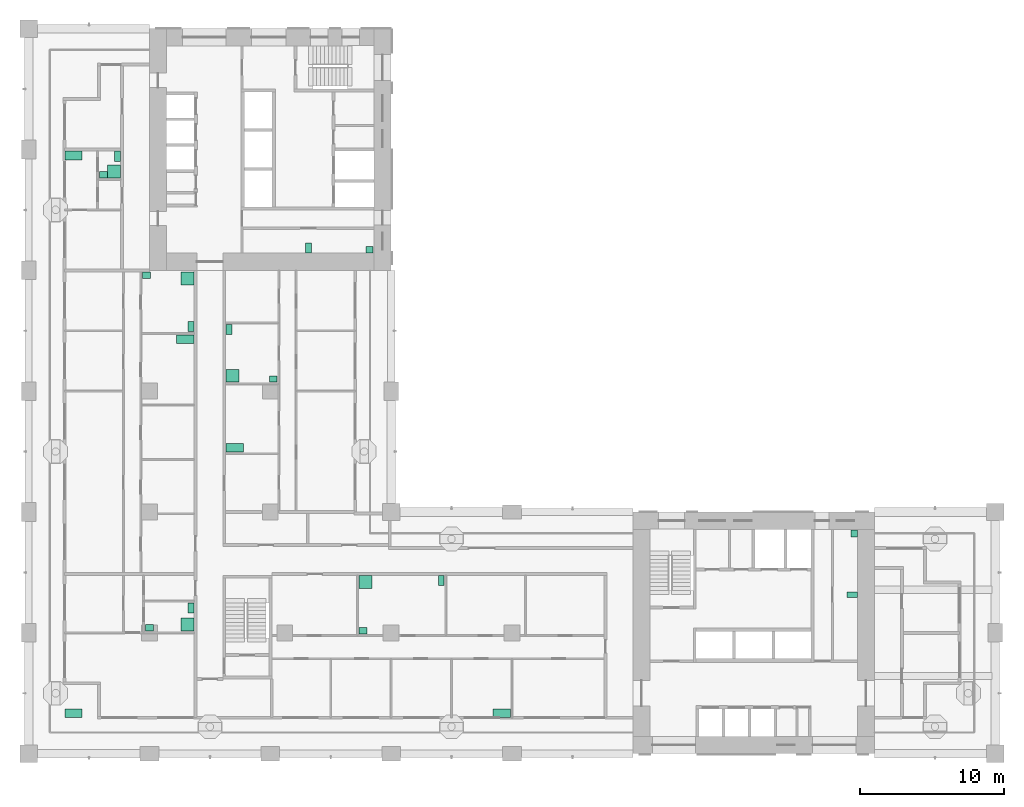
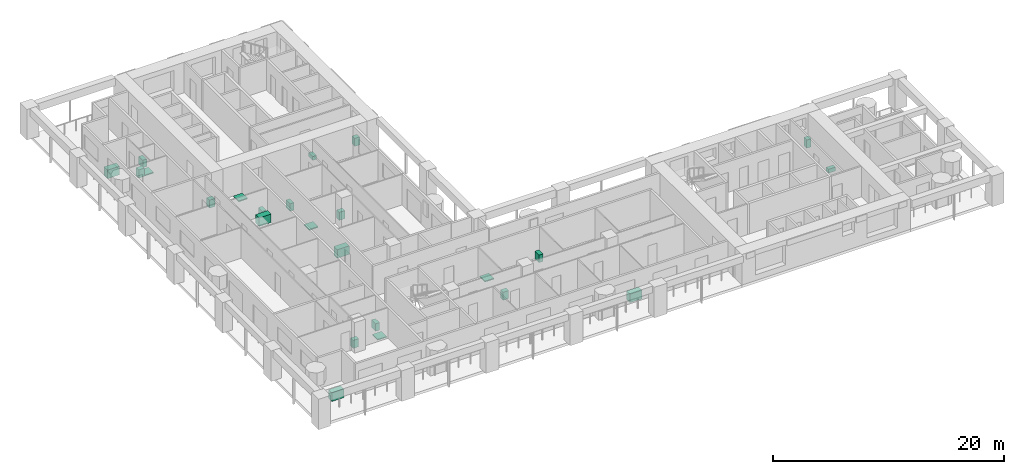
# One storey, part 16 of 18: 24 sanitary terminals.
"""IFC4 building model written with IfcOpenShell, lengths in metres."""

from ifc_helpers import new_model, si_unit, direction, frame, origin, origin_2d, place, context, subcontext, project, spatial, rectangle, extrude, material, element, save


model = new_model("IFC4")

# Units and contexts
model_context = context("Model", 3, precision=1e-05, world=origin(), true_north=direction((0.0, 1.0)))
body_context = subcontext(model_context, "Body", "Model", "MODEL_VIEW")
ifc_project = project(units=[si_unit("LENGTHUNIT", "METRE"), si_unit("AREAUNIT", "SQUARE_METRE"), si_unit("VOLUMEUNIT", "CUBIC_METRE"), si_unit("PLANEANGLEUNIT", "RADIAN"), si_unit("MASSUNIT", "GRAM", prefix="KILO")], contexts=[model_context])

# Site, building, storey
site_placement = place(None, origin())
site = spatial("IfcSite", under=ifc_project, at=site_placement, CompositionType="ELEMENT")
building_placement = place(site_placement, origin())
building = spatial("IfcBuilding", under=site, at=building_placement, Name="Vermilion Gate Residences", CompositionType="ELEMENT")
storey_placement = place(building_placement, frame((0.0, 0.0, 105.699951171875)))
storey = spatial("IfcBuildingStorey", under=building, at=storey_placement, Name="L26", CompositionType="ELEMENT", Elevation=105.699951171875)

# Sanitary terminals
ifc_material_1 = material(Name="Vitreous china")
sanitary_terminal_1_placement = place(storey_placement, frame((57.25, 19.449951171875, 0.0), z_axis=(0.0, 0.0, 1.0), x_axis=(1.0, 0.0, 0.0)))
element("IfcSanitaryTerminal", 1, at=sanitary_terminal_1_placement, inside=storey, material=ifc_material_1, Name="Toilet pan A26", PredefinedType="TOILETPAN", context=body_context, shape_type="SweptSolid", body=[
    extrude(rectangle(XDim=0.699951171875, YDim=0.39990234375, at=origin_2d()), origin(), (0.0, 0.0, 1.0), 0.39990234375),
])
sanitary_terminal_2_placement = place(storey_placement, frame((57.375, 23.699951171875, 0.0), z_axis=(0.0, 0.0, 1.0), x_axis=(1.0, 0.0, 0.0)))
element("IfcSanitaryTerminal", 2, at=sanitary_terminal_2_placement, inside=storey, material=ifc_material_1, Name="Washbasin A26", PredefinedType="WASHHANDBASIN", context=body_context, shape_type="SweptSolid", body=[
    extrude(rectangle(XDim=0.449951171875, YDim=0.5, at=origin_2d()), origin(), (0.0, 0.0, 1.0), 0.85009765625),
])
sanitary_terminal_3_placement = place(storey_placement, frame((19.449951171875, 43.550048828125, 0.0), z_axis=(0.0, 0.0, 1.0), x_axis=(1.0, 0.0, 0.0)))
element("IfcSanitaryTerminal", 3, at=sanitary_terminal_3_placement, inside=storey, material=ifc_material_1, Name="Toilet pan B26", PredefinedType="TOILETPAN", context=body_context, shape_type="SweptSolid", body=[
    extrude(rectangle(XDim=0.39990234375, YDim=0.699951171875, at=origin_2d()), origin(), (0.0, 0.0, 1.0), 0.39990234375),
])
sanitary_terminal_4_placement = place(storey_placement, frame((23.699951171875, 43.425048828125, 0.0), z_axis=(0.0, 0.0, 1.0), x_axis=(1.0, 0.0, 0.0)))
element("IfcSanitaryTerminal", 4, at=sanitary_terminal_4_placement, inside=storey, material=ifc_material_1, Name="Washbasin B26", PredefinedType="WASHHANDBASIN", context=body_context, shape_type="SweptSolid", body=[
    extrude(rectangle(XDim=0.5, YDim=0.449951171875, at=origin_2d()), origin(), (0.0, 0.0, 1.0), 0.85009765625),
])
ifc_material_2 = material(Name="Stainless steel", Category="steel")
sanitary_terminal_5_placement = place(storey_placement, frame((3.1201171875, 11.219970703125, 0.0), z_axis=(0.0, 0.0, 1.0), x_axis=(1.0, 0.0, 0.0)))
element("IfcSanitaryTerminal", 5, at=sanitary_terminal_5_placement, inside=storey, material=ifc_material_2, Name="Kitchen sink", PredefinedType="SINK", context=body_context, shape_type="SweptSolid", body=[
    extrude(rectangle(XDim=1.199951171875, YDim=0.60009765625, at=origin_2d()), origin(), (0.0, 0.0, 1.0), 0.89990234375),
])
sanitary_terminal_6_placement = place(storey_placement, frame((11.030029296875, 17.3701171875, 0.0), z_axis=(0.0, 0.0, 1.0), x_axis=(1.0, 0.0, 0.0)))
element("IfcSanitaryTerminal", 6, at=sanitary_terminal_6_placement, inside=storey, material=ifc_material_1, Name="Shower tray", PredefinedType="SHOWER", context=body_context, shape_type="SweptSolid", body=[
    extrude(rectangle(XDim=0.89990234375, YDim=0.89990234375, at=origin_2d()), origin(), (0.0, 0.0, 1.0), 0.10009765625),
])
sanitary_terminal_7_placement = place(storey_placement, frame((11.280029296875, 18.530029296875, 0.0), z_axis=(0.0, 0.0, 1.0), x_axis=(1.0, 0.0, 0.0)))
element("IfcSanitaryTerminal", 7, at=sanitary_terminal_7_placement, inside=storey, material=ifc_material_1, Name="Toilet", PredefinedType="TOILETPAN", context=body_context, shape_type="SweptSolid", body=[
    extrude(rectangle(XDim=0.39990234375, YDim=0.699951171875, at=origin_2d()), origin(), (0.0, 0.0, 1.0), 0.800048828125),
])
sanitary_terminal_8_placement = place(storey_placement, frame((8.39501953125, 17.14501953125, 0.0), z_axis=(0.0, 0.0, 1.0), x_axis=(1.0, 0.0, 0.0)))
element("IfcSanitaryTerminal", 8, at=sanitary_terminal_8_placement, inside=storey, material=ifc_material_1, Name="Wash basin", PredefinedType="WASHHANDBASIN", context=body_context, shape_type="SweptSolid", body=[
    extrude(rectangle(XDim=0.550048828125, YDim=0.449951171875, at=origin_2d()), origin(), (0.0, 0.0, 1.0), 0.85009765625),
])
sanitary_terminal_9_placement = place(storey_placement, frame((32.8798828125, 11.219970703125, 0.0), z_axis=(0.0, 0.0, 1.0), x_axis=(1.0, 0.0, 0.0)))
element("IfcSanitaryTerminal", 9, at=sanitary_terminal_9_placement, inside=storey, material=ifc_material_2, Name="Kitchen sink", PredefinedType="SINK", context=body_context, shape_type="SweptSolid", body=[
    extrude(rectangle(XDim=1.199951171875, YDim=0.60009765625, at=origin_2d()), origin(), (0.0, 0.0, 1.0), 0.89990234375),
])
sanitary_terminal_10_placement = place(storey_placement, frame((23.419921875, 20.330078125, 0.0), z_axis=(0.0, 0.0, 1.0), x_axis=(1.0, 0.0, 0.0)))
element("IfcSanitaryTerminal", 10, at=sanitary_terminal_10_placement, inside=storey, material=ifc_material_1, Name="Shower tray", PredefinedType="SHOWER", context=body_context, shape_type="SweptSolid", body=[
    extrude(rectangle(XDim=0.89990234375, YDim=0.89990234375, at=origin_2d()), origin(), (0.0, 0.0, 1.0), 0.10009765625),
])
sanitary_terminal_11_placement = place(storey_placement, frame((28.679931640625, 20.429931640625, 0.0), z_axis=(0.0, 0.0, 1.0), x_axis=(1.0, 0.0, 0.0)))
element("IfcSanitaryTerminal", 11, at=sanitary_terminal_11_placement, inside=storey, material=ifc_material_1, Name="Toilet", PredefinedType="TOILETPAN", context=body_context, shape_type="SweptSolid", body=[
    extrude(rectangle(XDim=0.39990234375, YDim=0.699951171875, at=origin_2d()), origin(), (0.0, 0.0, 1.0), 0.800048828125),
])
sanitary_terminal_12_placement = place(storey_placement, frame((23.2451171875, 16.945068359375, 0.0), z_axis=(0.0, 0.0, 1.0), x_axis=(1.0, 0.0, 0.0)))
element("IfcSanitaryTerminal", 12, at=sanitary_terminal_12_placement, inside=storey, material=ifc_material_1, Name="Wash basin", PredefinedType="WASHHANDBASIN", context=body_context, shape_type="SweptSolid", body=[
    extrude(rectangle(XDim=0.550048828125, YDim=0.449951171875, at=origin_2d()), origin(), (0.0, 0.0, 1.0), 0.85009765625),
])
sanitary_terminal_13_placement = place(storey_placement, frame((10.8798828125, 37.199951171875, 0.0), z_axis=(0.0, 0.0, 1.0), x_axis=(1.0, 0.0, 0.0)))
element("IfcSanitaryTerminal", 13, at=sanitary_terminal_13_placement, inside=storey, material=ifc_material_2, Name="Kitchen sink", PredefinedType="SINK", context=body_context, shape_type="SweptSolid", body=[
    extrude(rectangle(XDim=1.199951171875, YDim=0.60009765625, at=origin_2d()), origin(), (0.0, 0.0, 1.0), 0.89990234375),
])
sanitary_terminal_14_placement = place(storey_placement, frame((11.030029296875, 41.429931640625, 0.0), z_axis=(0.0, 0.0, 1.0), x_axis=(1.0, 0.0, 0.0)))
element("IfcSanitaryTerminal", 14, at=sanitary_terminal_14_placement, inside=storey, material=ifc_material_1, Name="Shower tray", PredefinedType="SHOWER", context=body_context, shape_type="SweptSolid", body=[
    extrude(rectangle(XDim=0.89990234375, YDim=0.89990234375, at=origin_2d()), origin(), (0.0, 0.0, 1.0), 0.10009765625),
])
sanitary_terminal_15_placement = place(storey_placement, frame((11.280029296875, 38.090087890625, 0.0), z_axis=(0.0, 0.0, 1.0), x_axis=(1.0, 0.0, 0.0)))
element("IfcSanitaryTerminal", 15, at=sanitary_terminal_15_placement, inside=storey, material=ifc_material_1, Name="Toilet", PredefinedType="TOILETPAN", context=body_context, shape_type="SweptSolid", body=[
    extrude(rectangle(XDim=0.39990234375, YDim=0.699951171875, at=origin_2d()), origin(), (0.0, 0.0, 1.0), 0.800048828125),
])
sanitary_terminal_16_placement = place(storey_placement, frame((8.195068359375, 41.655029296875, 0.0), z_axis=(0.0, 0.0, 1.0), x_axis=(1.0, 0.0, 0.0)))
element("IfcSanitaryTerminal", 16, at=sanitary_terminal_16_placement, inside=storey, material=ifc_material_1, Name="Wash basin", PredefinedType="WASHHANDBASIN", context=body_context, shape_type="SweptSolid", body=[
    extrude(rectangle(XDim=0.550048828125, YDim=0.449951171875, at=origin_2d()), origin(), (0.0, 0.0, 1.0), 0.85009765625),
])
sanitary_terminal_17_placement = place(storey_placement, frame((14.320068359375, 29.669921875, 0.0), z_axis=(0.0, 0.0, 1.0), x_axis=(1.0, 0.0, 0.0)))
element("IfcSanitaryTerminal", 17, at=sanitary_terminal_17_placement, inside=storey, material=ifc_material_2, Name="Kitchen sink", PredefinedType="SINK", context=body_context, shape_type="SweptSolid", body=[
    extrude(rectangle(XDim=1.199951171875, YDim=0.60009765625, at=origin_2d()), origin(), (0.0, 0.0, 1.0), 0.89990234375),
])
sanitary_terminal_18_placement = place(storey_placement, frame((14.169921875, 34.669921875, 0.0), z_axis=(0.0, 0.0, 1.0), x_axis=(1.0, 0.0, 0.0)))
element("IfcSanitaryTerminal", 18, at=sanitary_terminal_18_placement, inside=storey, material=ifc_material_1, Name="Shower tray", PredefinedType="SHOWER", context=body_context, shape_type="SweptSolid", body=[
    extrude(rectangle(XDim=0.89990234375, YDim=0.89990234375, at=origin_2d()), origin(), (0.0, 0.0, 1.0), 0.10009765625),
])
sanitary_terminal_19_placement = place(storey_placement, frame((13.919921875, 37.8798828125, 0.0), z_axis=(0.0, 0.0, 1.0), x_axis=(1.0, 0.0, 0.0)))
element("IfcSanitaryTerminal", 19, at=sanitary_terminal_19_placement, inside=storey, material=ifc_material_1, Name="Toilet", PredefinedType="TOILETPAN", context=body_context, shape_type="SweptSolid", body=[
    extrude(rectangle(XDim=0.39990234375, YDim=0.699951171875, at=origin_2d()), origin(), (0.0, 0.0, 1.0), 0.800048828125),
])
sanitary_terminal_20_placement = place(storey_placement, frame((17.0048828125, 34.445068359375, 0.0), z_axis=(0.0, 0.0, 1.0), x_axis=(1.0, 0.0, 0.0)))
element("IfcSanitaryTerminal", 20, at=sanitary_terminal_20_placement, inside=storey, material=ifc_material_1, Name="Wash basin", PredefinedType="WASHHANDBASIN", context=body_context, shape_type="SweptSolid", body=[
    extrude(rectangle(XDim=0.550048828125, YDim=0.449951171875, at=origin_2d()), origin(), (0.0, 0.0, 1.0), 0.85009765625),
])
sanitary_terminal_21_placement = place(storey_placement, frame((3.1201171875, 49.97998046875, 0.0), z_axis=(0.0, 0.0, 1.0), x_axis=(1.0, 0.0, 0.0)))
element("IfcSanitaryTerminal", 21, at=sanitary_terminal_21_placement, inside=storey, material=ifc_material_2, Name="Kitchen sink", PredefinedType="SINK", context=body_context, shape_type="SweptSolid", body=[
    extrude(rectangle(XDim=1.199951171875, YDim=0.60009765625, at=origin_2d()), origin(), (0.0, 0.0, 1.0), 0.89990234375),
])
sanitary_terminal_22_placement = place(storey_placement, frame((5.929931640625, 48.8701171875, 0.0), z_axis=(0.0, 0.0, 1.0), x_axis=(1.0, 0.0, 0.0)))
element("IfcSanitaryTerminal", 22, at=sanitary_terminal_22_placement, inside=storey, material=ifc_material_1, Name="Shower tray", PredefinedType="SHOWER", context=body_context, shape_type="SweptSolid", body=[
    extrude(rectangle(XDim=0.89990234375, YDim=0.89990234375, at=origin_2d()), origin(), (0.0, 0.0, 1.0), 0.10009765625),
])
sanitary_terminal_23_placement = place(storey_placement, frame((6.179931640625, 49.929931640625, 0.0), z_axis=(0.0, 0.0, 1.0), x_axis=(1.0, 0.0, 0.0)))
element("IfcSanitaryTerminal", 23, at=sanitary_terminal_23_placement, inside=storey, material=ifc_material_1, Name="Toilet", PredefinedType="TOILETPAN", context=body_context, shape_type="SweptSolid", body=[
    extrude(rectangle(XDim=0.39990234375, YDim=0.699951171875, at=origin_2d()), origin(), (0.0, 0.0, 1.0), 0.800048828125),
])
sanitary_terminal_24_placement = place(storey_placement, frame((5.195068359375, 48.64501953125, 0.0), z_axis=(0.0, 0.0, 1.0), x_axis=(1.0, 0.0, 0.0)))
element("IfcSanitaryTerminal", 24, at=sanitary_terminal_24_placement, inside=storey, material=ifc_material_1, Name="Wash basin", PredefinedType="WASHHANDBASIN", context=body_context, shape_type="SweptSolid", body=[
    extrude(rectangle(XDim=0.550048828125, YDim=0.449951171875, at=origin_2d()), origin(), (0.0, 0.0, 1.0), 0.85009765625),
])

save(model, "model.ifc")
